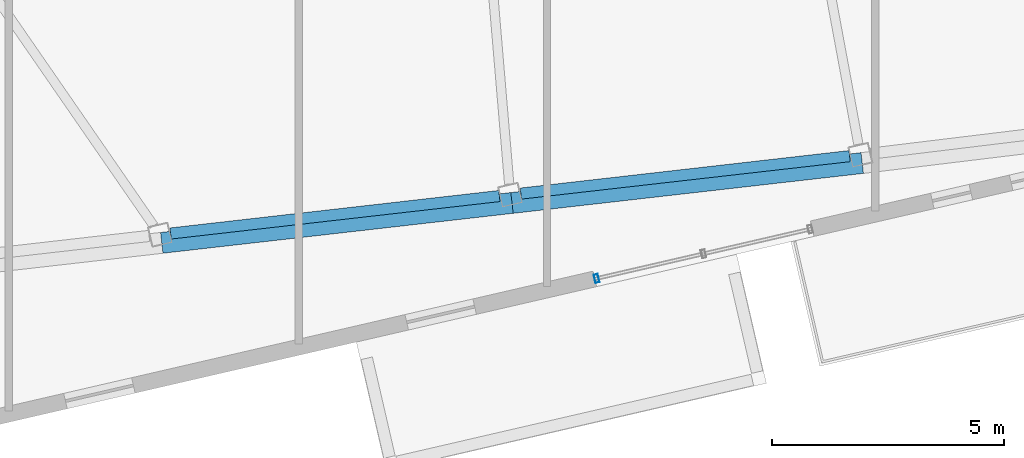
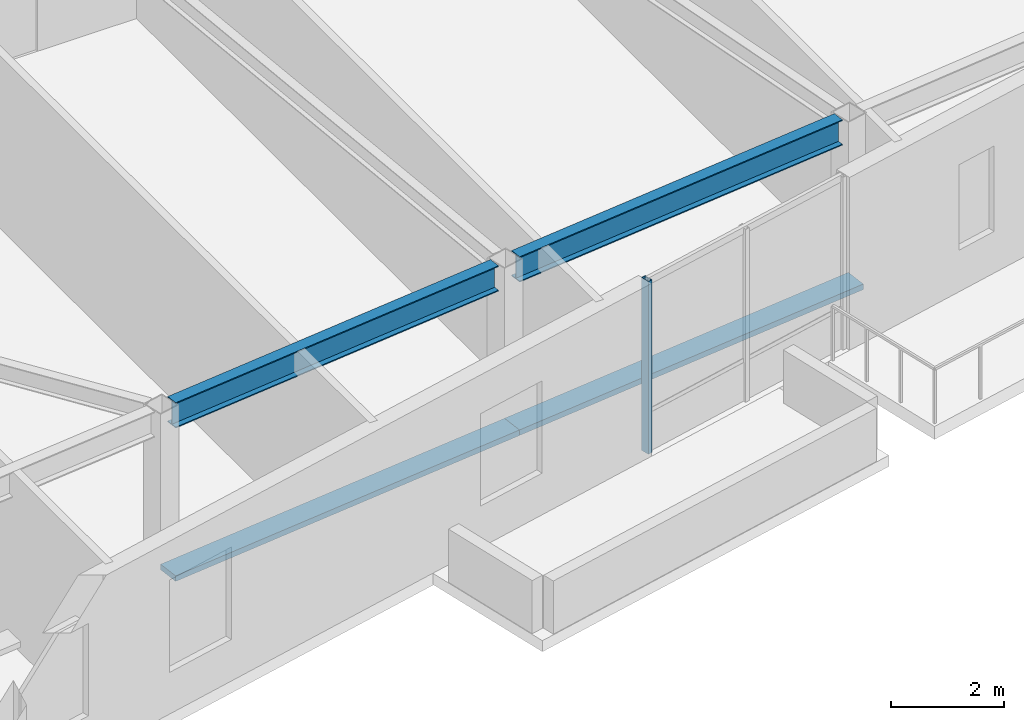
# One storey, part 5 of 23: 3 members, 2 beams, 1 element without a shape of its own.
"""IFC4 building model written with IfcOpenShell, lengths in metres."""

from ifc_helpers import new_model, si_unit, direction, frame, origin, origin_2d, place, context, subcontext, project, spatial, rectangle, hollow_rectangle, i_section, extrude, material, layer, layer_set, material_profile, profile_set, type_object, element, aggregate, save


model = new_model("IFC4")

# Units and contexts
model_context = context("Model", 3, precision=1e-05, world=origin(), true_north=direction((0.0, 1.0)))
body_context = subcontext(model_context, "Body", "Model", "MODEL_VIEW")
ifc_project = project(units=[si_unit("LENGTHUNIT", "METRE"), si_unit("AREAUNIT", "SQUARE_METRE"), si_unit("VOLUMEUNIT", "CUBIC_METRE"), si_unit("PLANEANGLEUNIT", "RADIAN"), si_unit("MASSUNIT", "GRAM", prefix="KILO")], contexts=[model_context])

# Site, building, storey
site_placement = place(None, origin())
site = spatial("IfcSite", under=ifc_project, at=site_placement, CompositionType="ELEMENT")
building_placement = place(site_placement, origin())
building = spatial("IfcBuilding", under=site, at=building_placement, Name="Tavrogorsk Clinical Tower", CompositionType="ELEMENT")
storey_placement = place(building_placement, frame((0.0, 0.0, 289.0)))
storey = spatial("IfcBuildingStorey", under=building, at=storey_placement, Name="L67", CompositionType="ELEMENT", Elevation=289.0)

# Members
ifc_material_1 = material(Name="Anodised aluminium alloy AW-6063", Category="aluminium")
ifc_material_profile_1 = material_profile(ifc_material_1, rectangle(XDim=0.449951171875, YDim=0.1201171875, at=origin_2d()), Name="ALU-SUNSHADE-450x120")
ifc_profile_set_1 = profile_set([ifc_material_profile_1], Name="Anodised aluminium alloy AW-6063")
member_type_1 = type_object("IfcMemberType", Name="ChicagoSunshade_450x120", PredefinedType="USERDEFINED", material=ifc_profile_set_1)
for number, where, z_axis, x_axis, name in (
    (1, (-16.289794921875, -25.20263671875, 0.179931640625), (0.99357213911, 0.113200726076, 0.0), (-0.113200726076, 0.99357213911, 0.0), "L67 South Aluminium Sunshade S2"),
    (2, (-8.75341796875, -24.343994140625, 0.179931640625), (0.993568518474, 0.113232500178, 0.0), (-0.113232500178, 0.993568518474, 0.0), "L67 South Aluminium Sunshade S3"),
):
    element("IfcMember", number, at=place(storey_placement, frame(where, z_axis=z_axis, x_axis=x_axis)), inside=storey, type_object=member_type_1, Name=name, ObjectType="SUNSHADE", PredefinedType="USERDEFINED", context=body_context, shape_type="SweptSolid", body=[
        extrude(rectangle(XDim=0.449951171875, YDim=0.1201171875, at=origin_2d()), origin(), (0.0, 0.0, 1.0), 7.585205078125),
    ])

# Curtain wall, member
ifc_material_2 = material(Name="Anodised aluminium and triple IGU glazing", Category="aluminium")
ifc_layer = layer(ifc_material_2, 0.179931640625)
ifc_layer_set = layer_set([ifc_layer], Name="Anodised aluminium and triple IGU glazing")
curtain_wall_type = type_object("IfcCurtainWallType", Name="CW3_SouthSlot", PredefinedType="NOTDEFINED", material=ifc_layer_set)
curtain_wall_placement = place(storey_placement, origin())
curtain_wall = element("IfcCurtainWall", 3, at=curtain_wall_placement, inside=storey, type_object=curtain_wall_type, Name="L67 Curtain Wall CW-L67-S-SLOT-1", PredefinedType="NOTDEFINED")
ifc_material_3 = material(Name="Anodised aluminium alloy AW-6060", Category="aluminium")
ifc_material_profile_2 = material_profile(ifc_material_3, hollow_rectangle(XDim=0.090087890625, YDim=0.179931640625, WallThickness=0.00634765625, at=origin_2d()), Name="RHS-180x90x6.3")
ifc_profile_set_2 = profile_set([ifc_material_profile_2], Name="Anodised aluminium alloy AW-6060")
member_type_2 = type_object("IfcMemberType", Name="CwMullion_180x90", PredefinedType="MULLION", material=ifc_profile_set_2)
member_placement = place(storey_placement, frame((-6.93212890625, -25.968994140625, 0.0), z_axis=(0.0, 0.0, 1.0), x_axis=(0.974370057377, 0.224951086434, 0.0)))
member = element("IfcMember", 4, at=member_placement, type_object=member_type_2, Name="CW-L67-S-SLOT-1 Mullion 1", PredefinedType="MULLION", context=body_context, shape_type="SweptSolid", body=[
    extrude(hollow_rectangle(XDim=0.090087890625, YDim=0.179931640625, WallThickness=0.00634765625, at=origin_2d()), origin(), (0.0, 0.0, 1.0), 3.739990234375),
])
aggregate(curtain_wall, [member])

# Beams
ifc_material_4 = material(Name="Structural steel S390", Category="steel")
ifc_material_profile_3 = material_profile(ifc_material_4, i_section(OverallWidth=0.239990234375, OverallDepth=0.550048828125, WebThickness=0.013916015625, FlangeThickness=0.02197265625, at=origin_2d()), Name="B-550x240x14x22")
ifc_profile_set_3 = profile_set([ifc_material_profile_3], Name="Structural steel S390")
beam_type = type_object("IfcBeamType", Name="SpandrelBeam_B550", PredefinedType="SPANDREL", material=ifc_profile_set_3)
for number, where, z_axis, x_axis, name in (
    (5, (-16.098876953125, -25.000732421875, 3.465087890625), (0.993572073137, 0.113201305126, 0.0), (-0.113201305126, 0.993572073137, 0.0), "L67 Perimeter Spandrel S2-S3"),
    (6, (-8.5625, -24.14208984375, 3.465087890625), (0.993572073137, 0.113201305126, 0.0), (-0.113201305126, 0.993572073137, 0.0), "L67 Perimeter Spandrel S3-S4"),
):
    element("IfcBeam", number, at=place(storey_placement, frame(where, z_axis=z_axis, x_axis=x_axis)), inside=storey, type_object=beam_type, Name=name, PredefinedType="SPANDREL", context=body_context, shape_type="SweptSolid", body=[
        extrude(i_section(OverallWidth=0.239990234375, OverallDepth=0.550048828125, WebThickness=0.013916015625, FlangeThickness=0.02197265625, at=origin_2d()), origin(), (0.0, 0.0, 1.0), 7.119140625),
    ])

save(model, "model.ifc")
